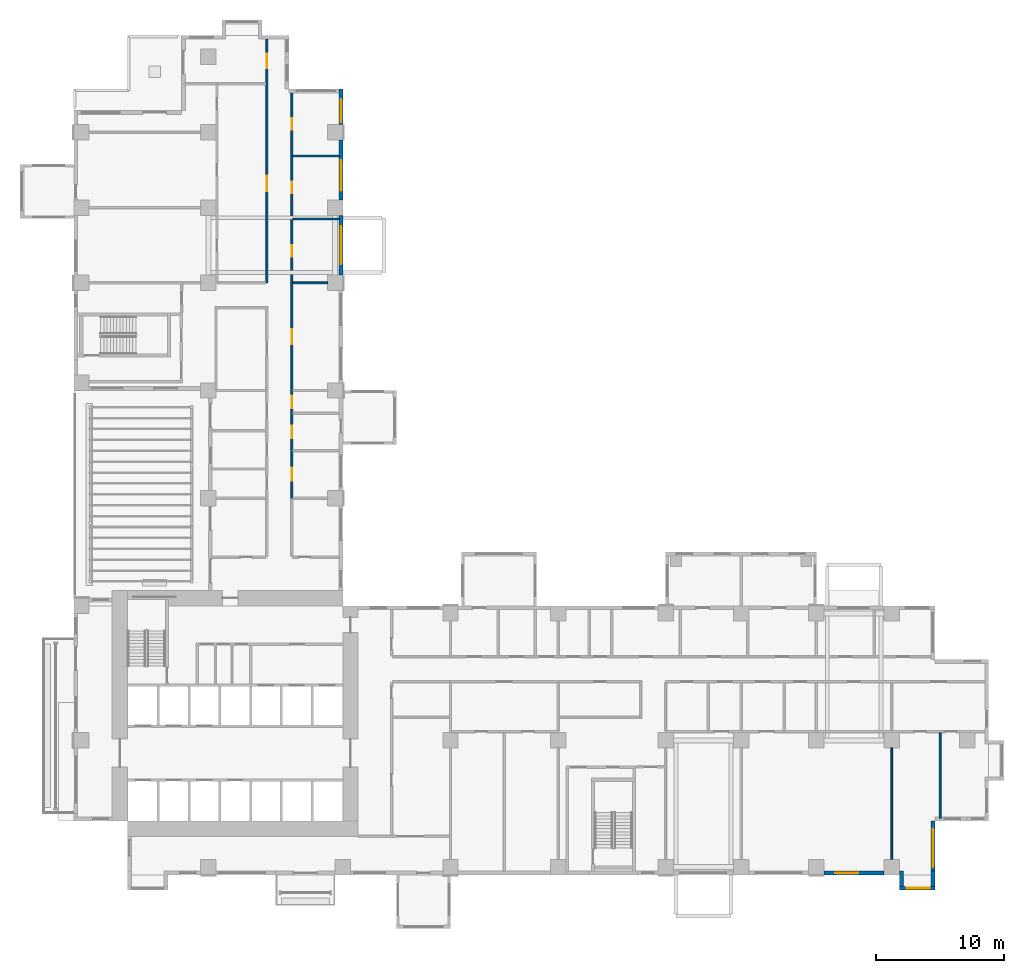
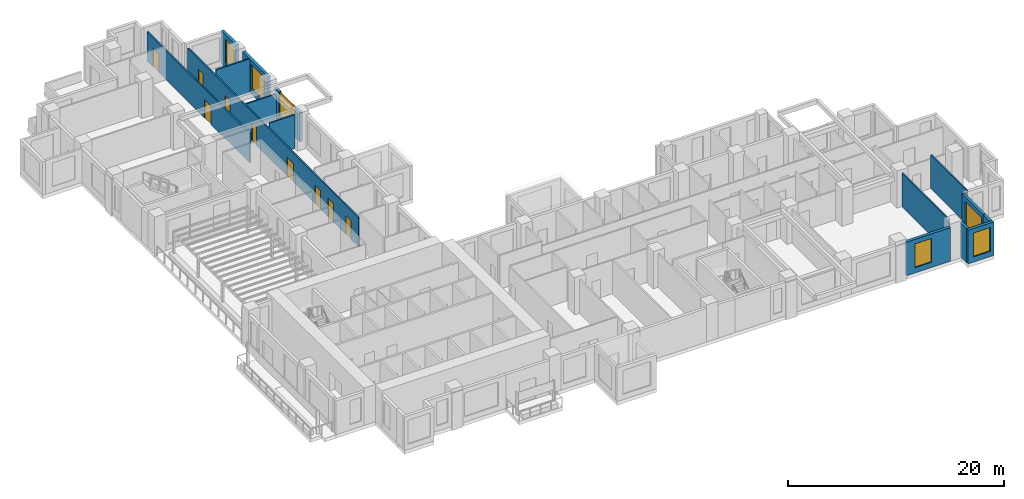
# One storey, part 10 of 17: 15 walls, 9 doors, 6 windows, 15 openings.
"""IFC4 building model written with IfcOpenShell, lengths in metres."""

import ifcopenshell
import ifcopenshell.guid

model = None  # the IFC model being written
_history = None  # IfcOwnerHistory: only IFC2X3 demands one
_inside = {}  # id of a spatial element -> (the spatial element, [elements in it])
_under = {}  # id of a project, library or spatial element -> (it, [spatial elements below it])
_declared = {}  # id of a project -> (the project, [libraries it declares])
_typed = {}  # id of a type object -> (the type object, [elements of that type])
_made_of = {}  # id of a material, layer set ... -> (it, [elements and type objects made of it])


def new_model(schema):
    """Start an empty IFC model of exactly this schema.

    Asked for "IFC4X3", IfcOpenShell would pick the latest addendum, in which some entities
    have other attributes; the version numbers below select the first issue.
    IFC2X3 requires an IfcOwnerHistory on every rooted entity: one is made here for all.
    """
    global model, _history
    if schema == "IFC4X3":
        model = ifcopenshell.file(schema_version=(4, 3, 0, 0))
    else:
        model = ifcopenshell.file(schema=schema)
    _inside.clear()
    _under.clear()
    _declared.clear()
    _typed.clear()
    _made_of.clear()
    _history = None
    if model.schema == "IFC2X3":
        org = make("IfcOrganization", Name="unknown")
        user = make(
            "IfcPersonAndOrganization",
            ThePerson=make("IfcPerson", FamilyName="unknown"),
            TheOrganization=org,
        )
        app = make(
            "IfcApplication",
            ApplicationDeveloper=org,
            Version="unknown",
            ApplicationFullName="unknown",
            ApplicationIdentifier="unknown",
        )
        _history = make(
            "IfcOwnerHistory",
            OwningUser=user,
            OwningApplication=app,
            ChangeAction="ADDED",
            CreationDate=0,
        )
    return model


def make(cls, **values):
    """One entity of the class cls with the attributes given. An attribute that is None is left unset."""
    return model.create_entity(
        cls, **{name: value for name, value in values.items() if value is not None}
    )


def rooted(cls, **values):
    """An entity with a GlobalId (a new one), such as an element, a storey or a relation."""
    return make(cls, GlobalId=ifcopenshell.guid.new(), OwnerHistory=_history, **values)


def si_unit(unit_type, name, prefix=None):
    """IfcSIUnit, for example si_unit("LENGTHUNIT", "METRE", prefix="MILLI")."""
    return make("IfcSIUnit", UnitType=unit_type, Prefix=prefix, Name=name)


def assignment(units):
    """IfcUnitAssignment: the units of a project."""
    return None if units is None else make("IfcUnitAssignment", Units=units)


def point(xyz):
    """IfcCartesianPoint."""
    return None if xyz is None else make("IfcCartesianPoint", Coordinates=xyz)


def direction(xyz):
    """IfcDirection."""
    return None if xyz is None else make("IfcDirection", DirectionRatios=xyz)


def frame(location, z_axis=None, x_axis=None):
    """IfcAxis2Placement3D, a coordinate frame: its origin and axes. An axis left out is left unset."""
    return make(
        "IfcAxis2Placement3D",
        Location=point(location),
        Axis=direction(z_axis),
        RefDirection=direction(x_axis),
    )


def frame_2d(location, x_axis=None):
    """IfcAxis2Placement2D, a coordinate frame in the plane: its origin and x axis."""
    return make(
        "IfcAxis2Placement2D", Location=point(location), RefDirection=direction(x_axis)
    )


def origin():
    """The frame at (0, 0, 0) with its axes left unset."""
    return frame((0.0, 0.0, 0.0))


def place(relative_to, where):
    """IfcLocalPlacement: puts the frame where relative to a parent placement (None: the world)."""
    return make(
        "IfcLocalPlacement", PlacementRelTo=relative_to, RelativePlacement=where
    )


def context(
    kind, dimensions, precision=None, world=None, true_north=None, identifier=None
):
    """IfcGeometricRepresentationContext, for example the 3D "Model" context."""
    return make(
        "IfcGeometricRepresentationContext",
        ContextIdentifier=identifier,
        ContextType=kind,
        CoordinateSpaceDimension=dimensions,
        Precision=precision,
        WorldCoordinateSystem=world,
        TrueNorth=true_north,
    )


def subcontext(parent, identifier, kind, view, scale=None):
    """IfcGeometricRepresentationSubContext, for example "Body" below "Model"."""
    return make(
        "IfcGeometricRepresentationSubContext",
        ContextIdentifier=identifier,
        ContextType=kind,
        ParentContext=parent,
        TargetScale=scale,
        TargetView=view,
    )


def project(units=None, contexts=None):
    """IfcProject with its units and contexts."""
    return rooted(
        "IfcProject",
        Name="project",
        RepresentationContexts=contexts,
        UnitsInContext=assignment(units),
    )


def spatial(cls, under=None, at=None, **own):
    """A site, building, storey or space (cls), placed at a placement, below another one or the project."""
    s = rooted(cls, ObjectPlacement=at, **own)
    if under is not None:
        _under.setdefault(under.id(), (under, []))[1].append(s)
    return s


def profile(cls, at=None, kind="AREA", **sizes):
    """A parametric profile (cls). Its sizes go by their IFC names, for example OverallWidth=200.0."""
    return make(cls, ProfileType=kind, Position=at, **sizes)


def rectangle(**sizes):
    """IfcRectangleProfileDef."""
    return profile("IfcRectangleProfileDef", **sizes)


def extrude(swept, where, along, depth):
    """IfcExtrudedAreaSolid: the profile swept, set in the frame where, extruded along a direction by depth."""
    return make(
        "IfcExtrudedAreaSolid",
        SweptArea=swept,
        Position=where,
        ExtrudedDirection=direction(along),
        Depth=depth,
    )


def shape(context_of_items, identifier, shape_type, items):
    """IfcShapeRepresentation: the items that make up one representation, for example the "Body"."""
    return make(
        "IfcShapeRepresentation",
        ContextOfItems=context_of_items,
        RepresentationIdentifier=identifier,
        RepresentationType=shape_type,
        Items=items,
    )


def source(mapping_origin, context_of_items, identifier, shape_type, items):
    """IfcRepresentationMap: a shape defined once, which mapped items show again and again."""
    return make(
        "IfcRepresentationMap",
        MappingOrigin=mapping_origin,
        MappedRepresentation=shape(context_of_items, identifier, shape_type, items),
    )


def transform(
    local_origin,
    x_axis=None,
    y_axis=None,
    z_axis=None,
    scale=None,
    scale2=None,
    scale3=None,
    uniform=True,
):
    """IfcCartesianTransformationOperator3D, or its non-uniform kind. x_axis, y_axis, z_axis: its Axis1, 2, 3."""
    if uniform:
        return make(
            "IfcCartesianTransformationOperator3D",
            Axis1=direction(x_axis),
            Axis2=direction(y_axis),
            LocalOrigin=point(local_origin),
            Scale=scale,
            Axis3=direction(z_axis),
        )
    return make(
        "IfcCartesianTransformationOperator3DnonUniform",
        Axis1=direction(x_axis),
        Axis2=direction(y_axis),
        LocalOrigin=point(local_origin),
        Scale=scale,
        Axis3=direction(z_axis),
        Scale2=scale2,
        Scale3=scale3,
    )


def mapped(mapping_source, mapping_target):
    """IfcMappedItem: shows the shape of a source again, moved by a transform."""
    return make(
        "IfcMappedItem", MappingSource=mapping_source, MappingTarget=mapping_target
    )


def material(Name=None, Category=None):
    """IfcMaterial."""
    return make("IfcMaterial", Name=Name, Category=Category)


def layer(
    of_material, thickness, ventilated=None, Name=None, Category=None, Priority=None
):
    """IfcMaterialLayer: one layer of a wall or slab, of a material (None: an air gap)."""
    return make(
        "IfcMaterialLayer",
        Material=of_material,
        LayerThickness=thickness,
        IsVentilated=ventilated,
        Name=Name,
        Category=Category,
        Priority=Priority,
    )


def layer_set(layers, Name=None):
    """IfcMaterialLayerSet."""
    return make("IfcMaterialLayerSet", MaterialLayers=layers, LayerSetName=Name)


def made_of(thing, what):
    """Note that an element or type object is made of a material, layer set ...; save() writes the relation."""
    if what is not None:
        _made_of.setdefault(what.id(), (what, []))[1].append(thing)
    return thing


def type_object(cls, material=None, **own):
    """A type object (cls), such as IfcWallType, which elements share."""
    return made_of(rooted(cls, **own), material)


def element(
    cls,
    number,
    at=None,
    inside=None,
    cuts=None,
    type_object=None,
    material=None,
    context=None,
    identifier="Body",
    shape_type=None,
    held_by="IfcProductDefinitionShape",
    body=None,
    shapes=None,
    **own,
):
    """One element of the class cls, such as IfcWall. Its Tag is "e" and its number.

    at: its placement. inside: the storey or other place that contains it. cuts: it is an
    opening in that element (IfcRelVoidsElement). A single representation is given by context,
    identifier, shape_type and body (its items); several are given by shapes. held_by: the class
    of the entity that holds the representations. save() writes the other relations.
    """
    e = rooted(cls, Tag="e%d" % number, ObjectPlacement=at, **own)
    if body is not None:
        shapes = [shape(context, identifier, shape_type, body)]
    if shapes is not None:
        e.Representation = make(held_by, Representations=shapes)
    if inside is not None:
        _inside.setdefault(inside.id(), (inside, []))[1].append(e)
    if cuts is not None:
        rooted(
            "IfcRelVoidsElement", RelatingBuildingElement=cuts, RelatedOpeningElement=e
        )
    if type_object is not None:
        _typed.setdefault(type_object.id(), (type_object, []))[1].append(e)
    return made_of(e, material)


def fill(opening, filler):
    """IfcRelFillsElement: the door or window that sits in an opening."""
    return rooted(
        "IfcRelFillsElement",
        RelatingOpeningElement=opening,
        RelatedBuildingElement=filler,
    )


def aggregate(whole, parts):
    """IfcRelAggregates: a whole, such as a stair, and the parts it consists of."""
    return rooted("IfcRelAggregates", RelatingObject=whole, RelatedObjects=parts)


def save(model, path):
    """Write the relations noted so far, then the file.

    IfcRelAggregates (storeys below a building ...), IfcRelContainedInSpatialStructure (elements
    in a storey), IfcRelDefinesByType, IfcRelAssociatesMaterial and IfcRelDeclares: one each for
    every whole, place, type object, material and project.
    """
    for whole, parts in _under.values():
        aggregate(whole, parts)
    for where, things in _inside.values():
        rooted(
            "IfcRelContainedInSpatialStructure",
            RelatedElements=things,
            RelatingStructure=where,
        )
    for kind, things in _typed.values():
        rooted("IfcRelDefinesByType", RelatedObjects=things, RelatingType=kind)
    for what, things in _made_of.values():
        rooted("IfcRelAssociatesMaterial", RelatedObjects=things, RelatingMaterial=what)
    for by, libraries in _declared.values():
        rooted("IfcRelDeclares", RelatingContext=by, RelatedDefinitions=libraries)
    model.write(path)


model = new_model("IFC4")

# Units and contexts
model_context = context("Model", 3, precision=1e-05, world=origin(), true_north=direction((0.0, 1.0)))
body_context = subcontext(model_context, "Body", "Model", "MODEL_VIEW")
ifc_project = project(units=[si_unit("LENGTHUNIT", "METRE"), si_unit("AREAUNIT", "SQUARE_METRE"), si_unit("VOLUMEUNIT", "CUBIC_METRE"), si_unit("PLANEANGLEUNIT", "RADIAN"), si_unit("MASSUNIT", "GRAM", prefix="KILO")], contexts=[model_context])

# Site, building, storey
site_placement = place(None, origin())
site = spatial("IfcSite", under=ifc_project, at=site_placement, CompositionType="ELEMENT")
building_placement = place(site_placement, origin())
building = spatial("IfcBuilding", under=site, at=building_placement, Name="Aurelian Terraces", CompositionType="ELEMENT")
storey_placement = place(building_placement, frame((0.0, 0.0, 69.9)))
storey = spatial("IfcBuildingStorey", under=building, at=storey_placement, Name="L14", CompositionType="ELEMENT", Elevation=69.9)

# Wall, opening, window
ifc_material_1 = material(Name="Terracotta rainscreen cladding", Category="masonry")
ifc_layer_1 = layer(ifc_material_1, 0.3)
ifc_layer_set_1 = layer_set([ifc_layer_1], Name="EW-300")
wall_type_1 = type_object("IfcWallType", Name="EW-300", PredefinedType="STANDARD", material=ifc_layer_set_1)
shared_shape_1 = source(origin(), body_context, "Body", "SweptSolid", [
    extrude(rectangle(XDim=4.68, YDim=0.3, at=frame_2d((2.34, 0.0))), origin(), (0.0, 0.0, 1.0), 3.8),
])
wall_1_placement = place(storey_placement, frame((58.56, 0.15, 0.0), z_axis=(0.0, 0.0, 1.0), x_axis=(1.0, 0.0, 0.0)))
wall_1 = element("IfcWall", 1, at=wall_1_placement, inside=storey, type_object=wall_type_1, Name="External wall L14 F01.10", PredefinedType="STANDARD", context=body_context, shape_type="MappedRepresentation", body=[
    mapped(shared_shape_1, transform((0.0, 0.0, 0.0), scale=1.0)),
])
shared_shape_2 = source(origin(), body_context, "Body", "SweptSolid", [
    extrude(rectangle(XDim=1.8, YDim=2.7, at=frame_2d((0.9, 1.35))), frame((0.0, 0.16, 0.0), z_axis=(0.0, -1.0, 0.0), x_axis=(1.0, 0.0, 0.0)), (0.0, 0.0, 1.0), 0.32),
])
opening_1_placement = place(wall_1_placement, frame((0.8775, 0.0, 0.6)))
opening_1 = element("IfcOpeningElement", 2, at=opening_1_placement, cuts=wall_1, Name="Opening W1827", PredefinedType="OPENING", context=body_context, shape_type="MappedRepresentation", body=[
    mapped(shared_shape_2, transform((0.0, 0.0, 0.0), scale=1.0)),
])
ifc_material_2 = material(Name="Clear glazing", Category="glass")
window_type_1 = type_object("IfcWindowType", Name="W-1800x2700", PartitioningType="SINGLE_PANEL", PredefinedType="WINDOW", material=ifc_material_2)
shared_shape_3 = source(origin(), body_context, "Body", "SweptSolid", [
    extrude(rectangle(XDim=1.8, YDim=2.7, at=frame_2d((0.9, 1.35))), frame((0.0, 0.03, 0.0), z_axis=(0.0, -1.0, 0.0), x_axis=(1.0, 0.0, 0.0)), (0.0, 0.0, 1.0), 0.06),
])
window_1_placement = place(opening_1_placement, origin())
window_1 = element("IfcWindow", 3, at=window_1_placement, inside=storey, type_object=window_type_1, Name="Window L14 L14-F01-10-0", OverallHeight=2.7, OverallWidth=1.8, PartitioningType="SINGLE_PANEL", PredefinedType="WINDOW", context=body_context, shape_type="MappedRepresentation", body=[
    mapped(shared_shape_3, transform((0.0, 0.0, 0.0), scale=1.0)),
])
fill(opening_1, window_1)

wall_2_placement = place(storey_placement, frame((20.85, 52.68, 0.0), z_axis=(0.0, 0.0, 1.0), x_axis=(0.0, 1.0, 0.0)))
wall_2 = element("IfcWall", 4, at=wall_2_placement, inside=storey, type_object=wall_type_1, Name="External wall L14 F08.26", PredefinedType="STANDARD", context=body_context, shape_type="MappedRepresentation", body=[
    mapped(shared_shape_1, transform((0.0, 0.0, 0.0), scale=1.0)),
])
shared_shape_4 = source(origin(), body_context, "Body", "SweptSolid", [
    extrude(rectangle(XDim=2.4, YDim=2.7, at=frame_2d((1.2, 1.35))), frame((0.0, 0.16, 0.0), z_axis=(0.0, -1.0, 0.0), x_axis=(1.0, 0.0, 0.0)), (0.0, 0.0, 1.0), 0.32),
])
opening_2_placement = place(wall_2_placement, frame((0.695, 0.0, 0.6)))
opening_2 = element("IfcOpeningElement", 5, at=opening_2_placement, cuts=wall_2, Name="Opening W2427", PredefinedType="OPENING", context=body_context, shape_type="MappedRepresentation", body=[
    mapped(shared_shape_4, transform((0.0, 0.0, 0.0), scale=1.0)),
])
window_type_2 = type_object("IfcWindowType", Name="W-2400x2700", PartitioningType="SINGLE_PANEL", PredefinedType="WINDOW", material=ifc_material_2)
shared_shape_5 = source(origin(), body_context, "Body", "SweptSolid", [
    extrude(rectangle(XDim=2.4, YDim=2.7, at=frame_2d((1.2, 1.35))), frame((0.0, 0.03, 0.0), z_axis=(0.0, -1.0, 0.0), x_axis=(1.0, 0.0, 0.0)), (0.0, 0.0, 1.0), 0.06),
])
window_2_placement = place(opening_2_placement, origin())
window_2 = element("IfcWindow", 6, at=window_2_placement, inside=storey, type_object=window_type_2, Name="Window L14 L14-F08-26-0", OverallHeight=2.7, OverallWidth=2.4, PartitioningType="SINGLE_PANEL", PredefinedType="WINDOW", context=body_context, shape_type="MappedRepresentation", body=[
    mapped(shared_shape_5, transform((0.0, 0.0, 0.0), scale=1.0)),
])
fill(opening_2, window_2)

shared_shape_6 = source(origin(), body_context, "Body", "SweptSolid", [
    extrude(rectangle(XDim=4.2, YDim=0.3, at=frame_2d((2.1, 0.0))), origin(), (0.0, 0.0, 1.0), 3.8),
])
wall_3_placement = place(storey_placement, frame((67.05, 0.0, 0.0), z_axis=(0.0, 0.0, 1.0), x_axis=(0.0, 1.0, 0.0)))
wall_3 = element("IfcWall", 7, at=wall_3_placement, inside=storey, type_object=wall_type_1, Name="External wall L14 F02.12", PredefinedType="STANDARD", context=body_context, shape_type="MappedRepresentation", body=[
    mapped(shared_shape_6, transform((0.0, 0.0, 0.0), scale=1.0)),
])
shared_shape_7 = source(origin(), body_context, "Body", "SweptSolid", [
    extrude(rectangle(XDim=3.0, YDim=2.7, at=frame_2d((1.5, 1.35))), frame((0.0, 0.16, 0.0), z_axis=(0.0, -1.0, 0.0), x_axis=(1.0, 0.0, 0.0)), (0.0, 0.0, 1.0), 0.32),
])
opening_3_placement = place(wall_3_placement, frame((0.6, 0.0, 0.6)))
opening_3 = element("IfcOpeningElement", 8, at=opening_3_placement, cuts=wall_3, Name="Opening W3027", PredefinedType="OPENING", context=body_context, shape_type="MappedRepresentation", body=[
    mapped(shared_shape_7, transform((0.0, 0.0, 0.0), scale=1.0)),
])
window_type_3 = type_object("IfcWindowType", Name="W-3000x2700", PartitioningType="SINGLE_PANEL", PredefinedType="WINDOW", material=ifc_material_2)
shared_shape_8 = source(origin(), body_context, "Body", "SweptSolid", [
    extrude(rectangle(XDim=3.0, YDim=2.7, at=frame_2d((1.5, 1.35))), frame((0.0, 0.03, 0.0), z_axis=(0.0, -1.0, 0.0), x_axis=(1.0, 0.0, 0.0)), (0.0, 0.0, 1.0), 0.06),
])
window_3_placement = place(opening_3_placement, origin())
window_3 = element("IfcWindow", 9, at=window_3_placement, inside=storey, type_object=window_type_3, Name="Window L14 L14-F02-12-0", OverallHeight=2.7, OverallWidth=3.0, PartitioningType="SINGLE_PANEL", PredefinedType="WINDOW", context=body_context, shape_type="MappedRepresentation", body=[
    mapped(shared_shape_8, transform((0.0, 0.0, 0.0), scale=1.0)),
])
fill(opening_3, window_3)

shared_shape_9 = source(origin(), body_context, "Body", "SweptSolid", [
    extrude(rectangle(XDim=2.76, YDim=0.3, at=frame_2d((1.38, 0.0))), origin(), (0.0, 0.0, 1.0), 3.8),
])
wall_4_placement = place(storey_placement, frame((64.44, -1.05, 0.0), z_axis=(0.0, 0.0, 1.0), x_axis=(1.0, 0.0, 0.0)))
wall_4 = element("IfcWall", 10, at=wall_4_placement, inside=storey, type_object=wall_type_1, Name="Bay wall L14 F01.11", PredefinedType="STANDARD", context=body_context, shape_type="MappedRepresentation", body=[
    mapped(shared_shape_9, transform((0.0, 0.0, 0.0), scale=1.0)),
])
opening_4_placement = place(wall_4_placement, frame((0.58, 0.0, 0.6)))
opening_4 = element("IfcOpeningElement", 11, at=opening_4_placement, cuts=wall_4, Name="Opening W1827", PredefinedType="OPENING", context=body_context, shape_type="MappedRepresentation", body=[
    mapped(shared_shape_2, transform((0.0, 0.0, 0.0), scale=1.0)),
])
window_4_placement = place(opening_4_placement, origin())
window_4 = element("IfcWindow", 12, at=window_4_placement, inside=storey, type_object=window_type_1, Name="Window L14 L14-F01-11-0", OverallHeight=2.7, OverallWidth=1.8, PartitioningType="SINGLE_PANEL", PredefinedType="WINDOW", context=body_context, shape_type="MappedRepresentation", body=[
    mapped(shared_shape_3, transform((0.0, 0.0, 0.0), scale=1.0)),
])
fill(opening_4, window_4)

wall_5_placement = place(storey_placement, frame((20.85, 58.56, 0.0), z_axis=(0.0, 0.0, 1.0), x_axis=(0.0, 1.0, 0.0)))
wall_5 = element("IfcWall", 13, at=wall_5_placement, inside=storey, type_object=wall_type_1, Name="External wall L14 F08.27", PredefinedType="STANDARD", context=body_context, shape_type="MappedRepresentation", body=[
    mapped(shared_shape_9, transform((0.0, 0.0, 0.0), scale=1.0)),
])
opening_5_placement = place(wall_5_placement, frame((0.18, 0.0, 0.6)))
opening_5 = element("IfcOpeningElement", 14, at=opening_5_placement, cuts=wall_5, Name="Opening W1827", PredefinedType="OPENING", context=body_context, shape_type="MappedRepresentation", body=[
    mapped(shared_shape_2, transform((0.0, 0.0, 0.0), scale=1.0)),
])
window_5_placement = place(opening_5_placement, origin())
window_5 = element("IfcWindow", 15, at=window_5_placement, inside=storey, type_object=window_type_1, Name="Window L14 L14-F08-27-0", OverallHeight=2.7, OverallWidth=1.8, PartitioningType="SINGLE_PANEL", PredefinedType="WINDOW", context=body_context, shape_type="MappedRepresentation", body=[
    mapped(shared_shape_3, transform((0.0, 0.0, 0.0), scale=1.0)),
])
fill(opening_5, window_5)

# Walls
shared_shape_10 = source(origin(), body_context, "Body", "SweptSolid", [
    extrude(rectangle(XDim=1.2, YDim=0.3, at=frame_2d((0.6, 0.0))), origin(), (0.0, 0.0, 1.0), 3.8),
])
for number, where, z_axis, x_axis, name in (
    (16, (64.59, 0.3, 0.0), (0.0, 0.0, 1.0), (0.0, -1.0, 0.0), "Bay return L14 F01.11.1"),
    (17, (67.05, 0.3, 0.0), (0.0, 0.0, 1.0), (0.0, -1.0, 0.0), "Bay return L14 F01.11.2"),
):
    element("IfcWall", number, at=place(storey_placement, frame(where, z_axis=z_axis, x_axis=x_axis)), inside=storey, type_object=wall_type_1, Name=name, PredefinedType="STANDARD", context=body_context, shape_type="MappedRepresentation", body=[
        mapped(shared_shape_10, transform((0.0, 0.0, 0.0), scale=1.0)),
    ])

# Wall, opening, window
shared_shape_11 = source(origin(), body_context, "Body", "SweptSolid", [
    extrude(rectangle(XDim=4.68, YDim=0.3, at=frame_2d((2.34, 0.0))), origin(), (0.0, 0.0, 1.0), 3.3),
])
wall_6_placement = place(storey_placement, frame((20.85, 46.8, 0.0), z_axis=(0.0, 0.0, 1.0), x_axis=(0.0, 1.0, 0.0)))
wall_6 = element("IfcWall", 18, at=wall_6_placement, inside=storey, type_object=wall_type_1, Name="External wall L14 F08.25", PredefinedType="STANDARD", context=body_context, shape_type="MappedRepresentation", body=[
    mapped(shared_shape_11, transform((0.0, 0.0, 0.0), scale=1.0)),
])
opening_6_placement = place(wall_6_placement, frame((0.84, 0.0, 0.6)))
opening_6 = element("IfcOpeningElement", 19, at=opening_6_placement, cuts=wall_6, Name="Opening W3027", PredefinedType="OPENING", context=body_context, shape_type="MappedRepresentation", body=[
    mapped(shared_shape_7, transform((0.0, 0.0, 0.0), scale=1.0)),
])
window_6_placement = place(opening_6_placement, origin())
window_6 = element("IfcWindow", 20, at=window_6_placement, inside=storey, type_object=window_type_3, Name="Window L14 L14-F08-25-0", OverallHeight=2.7, OverallWidth=3.0, PartitioningType="SINGLE_PANEL", PredefinedType="WINDOW", context=body_context, shape_type="MappedRepresentation", body=[
    mapped(shared_shape_8, transform((0.0, 0.0, 0.0), scale=1.0)),
])
fill(opening_6, window_6)

# Walls
ifc_material_3 = material(Name="Gypsum board on steel studs", Category="steel")
ifc_layer_2 = layer(ifc_material_3, 0.15)
ifc_layer_set_2 = layer_set([ifc_layer_2], Name="Partition 150")
wall_type_2 = type_object("IfcWallType", Name="Partition 150", PredefinedType="PARTITIONING", material=ifc_layer_set_2)
shared_shape_12 = source(origin(), body_context, "Body", "SweptSolid", [
    extrude(rectangle(XDim=8.702, YDim=0.15, at=frame_2d((4.351, 0.0))), origin(), (0.0, 0.0, 1.0), 3.8),
])
wall_7_placement = place(storey_placement, frame((63.84, 1.199, 0.0), z_axis=(0.0, 0.0, 1.0), x_axis=(0.0, 1.0, 0.0)))
element("IfcWall", 21, at=wall_7_placement, inside=storey, type_object=wall_type_2, Name="Partition", PredefinedType="PARTITIONING", context=body_context, shape_type="MappedRepresentation", body=[
    mapped(shared_shape_12, transform((0.0, 0.0, 0.0), scale=1.0)),
])
shared_shape_13 = source(origin(), body_context, "Body", "SweptSolid", [
    extrude(rectangle(XDim=3.6, YDim=0.15, at=frame_2d((1.8, 0.0))), origin(), (0.0, 0.0, 1.0), 3.8),
])
wall_8_placement = place(storey_placement, frame((17.1, 56.105, 0.0), z_axis=(0.0, 0.0, 1.0), x_axis=(1.0, 0.0, 0.0)))
element("IfcWall", 22, at=wall_8_placement, inside=storey, type_object=wall_type_2, Name="Partition", PredefinedType="PARTITIONING", context=body_context, shape_type="MappedRepresentation", body=[
    mapped(shared_shape_13, transform((0.0, 0.0, 0.0), scale=1.0)),
])
shared_shape_14 = source(origin(), body_context, "Body", "SweptSolid", [
    extrude(rectangle(XDim=2.701, YDim=0.15, at=frame_2d((1.3505, 0.0))), origin(), (0.0, 0.0, 1.0), 3.8),
])
wall_9_placement = place(storey_placement, frame((19.801, 46.2, 0.0), z_axis=(0.0, 0.0, 1.0), x_axis=(-1.0, 0.0, 0.0)))
element("IfcWall", 23, at=wall_9_placement, inside=storey, type_object=wall_type_2, Name="Partition", PredefinedType="PARTITIONING", context=body_context, shape_type="MappedRepresentation", body=[
    mapped(shared_shape_14, transform((0.0, 0.0, 0.0), scale=1.0)),
])

# Wall, openings, doors
ifc_layer_3 = layer(ifc_material_3, 0.15)
ifc_layer_set_3 = layer_set([ifc_layer_3], Name="Fire partition 150")
wall_type_3 = type_object("IfcWallType", Name="Fire partition 150", PredefinedType="PARTITIONING", material=ifc_layer_set_3)
shared_shape_15 = source(origin(), body_context, "Body", "SweptSolid", [
    extrude(rectangle(XDim=19.02, YDim=0.15, at=frame_2d((9.51, 0.0))), origin(), (0.0, 0.0, 1.0), 3.3),
])
wall_10_placement = place(storey_placement, frame((15.075, 46.2, 0.0), z_axis=(0.0, 0.0, 1.0), x_axis=(0.0, 1.0, 0.0)))
wall_10 = element("IfcWall", 24, at=wall_10_placement, inside=storey, type_object=wall_type_3, Name="Corridor wall", PredefinedType="PARTITIONING", context=body_context, shape_type="MappedRepresentation", body=[
    mapped(shared_shape_15, transform((0.0, 0.0, 0.0), scale=1.0)),
])
shared_shape_16 = source(origin(), body_context, "Body", "SweptSolid", [
    extrude(rectangle(XDim=1.2, YDim=2.1, at=frame_2d((0.6, 1.05))), frame((0.0, 0.085, 0.0), z_axis=(0.0, -1.0, 0.0), x_axis=(1.0, 0.0, 0.0)), (0.0, 0.0, 1.0), 0.17),
])
opening_7_placement = place(wall_10_placement, frame((7.17, 0.0, 0.0)))
opening_7 = element("IfcOpeningElement", 25, at=opening_7_placement, cuts=wall_10, Name="Opening 714037", PredefinedType="OPENING", context=body_context, shape_type="MappedRepresentation", body=[
    mapped(shared_shape_16, transform((0.0, 0.0, 0.0), scale=1.0)),
])
shared_shape_17 = source(origin(), body_context, "Body", "SweptSolid", [
    extrude(rectangle(XDim=1.1, YDim=2.1, at=frame_2d((0.55, 1.05))), frame((0.0, 0.085, 0.0), z_axis=(0.0, -1.0, 0.0), x_axis=(1.0, 0.0, 0.0)), (0.0, 0.0, 1.0), 0.17),
])
opening_8_placement = place(wall_10_placement, frame((16.7675, 0.0, 0.0)))
opening_8 = element("IfcOpeningElement", 26, at=opening_8_placement, cuts=wall_10, Name="Opening 714041", PredefinedType="OPENING", context=body_context, shape_type="MappedRepresentation", body=[
    mapped(shared_shape_17, transform((0.0, 0.0, 0.0), scale=1.0)),
])
ifc_material_4 = material(Name="Timber door leaf", Category="wood")
door_type_1 = type_object("IfcDoorType", Name="Room door 1100x2100 left", OperationType="SINGLE_SWING_LEFT", PredefinedType="DOOR", material=ifc_material_4)
shared_shape_18 = source(origin(), body_context, "Body", "SweptSolid", [
    extrude(rectangle(XDim=1.1, YDim=2.1, at=frame_2d((0.55, 1.05))), frame((0.0, 0.025, 0.0), z_axis=(0.0, -1.0, 0.0), x_axis=(1.0, 0.0, 0.0)), (0.0, 0.0, 1.0), 0.05),
])
door_1_placement = place(opening_8_placement, origin())
door_1 = element("IfcDoor", 27, at=door_1_placement, inside=storey, type_object=door_type_1, Name="Door 714041", OperationType="SINGLE_SWING_LEFT", OverallHeight=2.1, OverallWidth=1.1, PredefinedType="DOOR", context=body_context, shape_type="MappedRepresentation", body=[
    mapped(shared_shape_18, transform((0.0, 0.0, 0.0), scale=1.0)),
])
fill(opening_8, door_1)
door_type_2 = type_object("IfcDoorType", Name="Room door 1200x2100 left", OperationType="SINGLE_SWING_LEFT", PredefinedType="DOOR", material=ifc_material_4)
shared_shape_19 = source(origin(), body_context, "Body", "SweptSolid", [
    extrude(rectangle(XDim=1.2, YDim=2.1, at=frame_2d((0.6, 1.05))), frame((0.0, 0.025, 0.0), z_axis=(0.0, -1.0, 0.0), x_axis=(1.0, 0.0, 0.0)), (0.0, 0.0, 1.0), 0.05),
])
door_2_placement = place(opening_7_placement, origin())
door_2 = element("IfcDoor", 28, at=door_2_placement, inside=storey, type_object=door_type_2, Name="Door 714037", OperationType="SINGLE_SWING_LEFT", OverallHeight=2.1, OverallWidth=1.2, PredefinedType="DOOR", context=body_context, shape_type="MappedRepresentation", body=[
    mapped(shared_shape_19, transform((0.0, 0.0, 0.0), scale=1.0)),
])
fill(opening_7, door_2)

# Walls
shared_shape_20 = source(origin(), body_context, "Body", "SweptSolid", [
    extrude(rectangle(XDim=6.695, YDim=0.15, at=frame_2d((3.3475, 0.0))), origin(), (0.0, 0.0, 1.0), 3.8),
])
wall_11_placement = place(storey_placement, frame((67.62, 4.405, 0.0), z_axis=(0.0, 0.0, 1.0), x_axis=(0.0, 1.0, 0.0)))
element("IfcWall", 29, at=wall_11_placement, inside=storey, type_object=wall_type_2, Name="Partition", PredefinedType="PARTITIONING", context=body_context, shape_type="MappedRepresentation", body=[
    mapped(shared_shape_20, transform((0.0, 0.0, 0.0), scale=1.0)),
])
shared_shape_21 = source(origin(), body_context, "Body", "SweptSolid", [
    extrude(rectangle(XDim=3.6, YDim=0.15, at=frame_2d((1.8, 0.0))), origin(), (0.0, 0.0, 1.0), 2.8),
])
wall_12_placement = place(storey_placement, frame((17.1, 51.19, 0.0), z_axis=(0.0, 0.0, 1.0), x_axis=(1.0, 0.0, 0.0)))
element("IfcWall", 30, at=wall_12_placement, inside=storey, type_object=wall_type_2, Name="Partition", PredefinedType="PARTITIONING", context=body_context, shape_type="MappedRepresentation", body=[
    mapped(shared_shape_21, transform((0.0, 0.0, 0.0), scale=1.0)),
])

# Wall, openings, doors
shared_shape_22 = source(origin(), body_context, "Body", "SweptSolid", [
    extrude(rectangle(XDim=31.62, YDim=0.15, at=frame_2d((15.81, 0.0))), origin(), (0.0, 0.0, 1.0), 3.3),
])
wall_13_placement = place(storey_placement, frame((17.025, 61.02, 0.0), z_axis=(0.0, 0.0, 1.0), x_axis=(0.0, -1.0, 0.0)))
wall_13 = element("IfcWall", 31, at=wall_13_placement, inside=storey, type_object=wall_type_3, Name="Corridor wall", PredefinedType="PARTITIONING", context=body_context, shape_type="MappedRepresentation", body=[
    mapped(shared_shape_22, transform((0.0, 0.0, 0.0), scale=1.0)),
])
shared_shape_23 = source(origin(), body_context, "Body", "SweptSolid", [
    extrude(rectangle(XDim=1.0, YDim=2.1, at=frame_2d((0.5, 1.05))), frame((0.0, 0.085, 0.0), z_axis=(0.0, -1.0, 0.0), x_axis=(1.0, 0.0, 0.0)), (0.0, 0.0, 1.0), 0.17),
])
opening_9_placement = place(wall_13_placement, frame((29.2633, 0.0, 0.0)))
opening_9 = element("IfcOpeningElement", 32, at=opening_9_placement, cuts=wall_13, Name="Opening 714042", PredefinedType="OPENING", context=body_context, shape_type="MappedRepresentation", body=[
    mapped(shared_shape_23, transform((0.0, 0.0, 0.0), scale=1.0)),
])
opening_10_placement = place(wall_13_placement, frame((25.9514, 0.0, 0.0)))
opening_10 = element("IfcOpeningElement", 33, at=opening_10_placement, cuts=wall_13, Name="Opening 714043", PredefinedType="OPENING", context=body_context, shape_type="MappedRepresentation", body=[
    mapped(shared_shape_23, transform((0.0, 0.0, 0.0), scale=1.0)),
])
opening_11_placement = place(wall_13_placement, frame((23.608, 0.0, 0.0)))
opening_11 = element("IfcOpeningElement", 34, at=opening_11_placement, cuts=wall_13, Name="Opening 714044", PredefinedType="OPENING", context=body_context, shape_type="MappedRepresentation", body=[
    mapped(shared_shape_23, transform((0.0, 0.0, 0.0), scale=1.0)),
])
opening_12_placement = place(wall_13_placement, frame((18.42, 0.0, 0.0)))
opening_12 = element("IfcOpeningElement", 35, at=opening_12_placement, cuts=wall_13, Name="Opening 714045", PredefinedType="OPENING", context=body_context, shape_type="MappedRepresentation", body=[
    mapped(shared_shape_16, transform((0.0, 0.0, 0.0), scale=1.0)),
])
shared_shape_24 = source(origin(), body_context, "Body", "SweptSolid", [
    extrude(rectangle(XDim=0.9, YDim=2.1, at=frame_2d((0.45, 1.05))), frame((0.0, 0.085, 0.0), z_axis=(0.0, -1.0, 0.0), x_axis=(1.0, 0.0, 0.0)), (0.0, 0.0, 1.0), 0.17),
])
opening_13_placement = place(wall_13_placement, frame((11.875, 0.0, 0.0)))
opening_13 = element("IfcOpeningElement", 36, at=opening_13_placement, cuts=wall_13, Name="Opening 714046", PredefinedType="OPENING", context=body_context, shape_type="MappedRepresentation", body=[
    mapped(shared_shape_24, transform((0.0, 0.0, 0.0), scale=1.0)),
])
opening_14_placement = place(wall_13_placement, frame((6.9225, 0.0, 0.0)))
opening_14 = element("IfcOpeningElement", 37, at=opening_14_placement, cuts=wall_13, Name="Opening 714047", PredefinedType="OPENING", context=body_context, shape_type="MappedRepresentation", body=[
    mapped(shared_shape_24, transform((0.0, 0.0, 0.0), scale=1.0)),
])
opening_15_placement = place(wall_13_placement, frame((1.97, 0.0, 0.0)))
opening_15 = element("IfcOpeningElement", 38, at=opening_15_placement, cuts=wall_13, Name="Opening 714048", PredefinedType="OPENING", context=body_context, shape_type="MappedRepresentation", body=[
    mapped(shared_shape_24, transform((0.0, 0.0, 0.0), scale=1.0)),
])
door_type_3 = type_object("IfcDoorType", Name="Room door 1000x2100 left", OperationType="SINGLE_SWING_LEFT", PredefinedType="DOOR", material=ifc_material_4)
shared_shape_25 = source(origin(), body_context, "Body", "SweptSolid", [
    extrude(rectangle(XDim=1.0, YDim=2.1, at=frame_2d((0.5, 1.05))), frame((0.0, 0.025, 0.0), z_axis=(0.0, -1.0, 0.0), x_axis=(1.0, 0.0, 0.0)), (0.0, 0.0, 1.0), 0.05),
])
door_3_placement = place(opening_9_placement, origin())
door_3 = element("IfcDoor", 39, at=door_3_placement, inside=storey, type_object=door_type_3, Name="Door 714042", OperationType="SINGLE_SWING_LEFT", OverallHeight=2.1, OverallWidth=1.0, PredefinedType="DOOR", context=body_context, shape_type="MappedRepresentation", body=[
    mapped(shared_shape_25, transform((0.0, 0.0, 0.0), scale=1.0)),
])
fill(opening_9, door_3)
door_type_4 = type_object("IfcDoorType", Name="Room door 1000x2100 right", OperationType="SINGLE_SWING_RIGHT", PredefinedType="DOOR", material=ifc_material_4)
door_4_placement = place(opening_10_placement, origin())
door_4 = element("IfcDoor", 40, at=door_4_placement, inside=storey, type_object=door_type_4, Name="Door 714043", OperationType="SINGLE_SWING_RIGHT", OverallHeight=2.1, OverallWidth=1.0, PredefinedType="DOOR", context=body_context, shape_type="MappedRepresentation", body=[
    mapped(shared_shape_25, transform((0.0, 0.0, 0.0), scale=1.0)),
])
fill(opening_10, door_4)
door_5_placement = place(opening_11_placement, origin())
door_5 = element("IfcDoor", 41, at=door_5_placement, inside=storey, type_object=door_type_3, Name="Door 714044", OperationType="SINGLE_SWING_LEFT", OverallHeight=2.1, OverallWidth=1.0, PredefinedType="DOOR", context=body_context, shape_type="MappedRepresentation", body=[
    mapped(shared_shape_25, transform((0.0, 0.0, 0.0), scale=1.0)),
])
fill(opening_11, door_5)
door_type_5 = type_object("IfcDoorType", Name="Room door 900x2100 left", OperationType="SINGLE_SWING_LEFT", PredefinedType="DOOR", material=ifc_material_4)
shared_shape_26 = source(origin(), body_context, "Body", "SweptSolid", [
    extrude(rectangle(XDim=0.9, YDim=2.1, at=frame_2d((0.45, 1.05))), frame((0.0, 0.025, 0.0), z_axis=(0.0, -1.0, 0.0), x_axis=(1.0, 0.0, 0.0)), (0.0, 0.0, 1.0), 0.05),
])
door_6_placement = place(opening_13_placement, origin())
door_6 = element("IfcDoor", 42, at=door_6_placement, inside=storey, type_object=door_type_5, Name="Door 714046", OperationType="SINGLE_SWING_LEFT", OverallHeight=2.1, OverallWidth=0.9, PredefinedType="DOOR", context=body_context, shape_type="MappedRepresentation", body=[
    mapped(shared_shape_26, transform((0.0, 0.0, 0.0), scale=1.0)),
])
fill(opening_13, door_6)
door_type_6 = type_object("IfcDoorType", Name="Room door 900x2100 right", OperationType="SINGLE_SWING_RIGHT", PredefinedType="DOOR", material=ifc_material_4)
door_7_placement = place(opening_14_placement, origin())
door_7 = element("IfcDoor", 43, at=door_7_placement, inside=storey, type_object=door_type_6, Name="Door 714047", OperationType="SINGLE_SWING_RIGHT", OverallHeight=2.1, OverallWidth=0.9, PredefinedType="DOOR", context=body_context, shape_type="MappedRepresentation", body=[
    mapped(shared_shape_26, transform((0.0, 0.0, 0.0), scale=1.0)),
])
fill(opening_14, door_7)
door_8_placement = place(opening_15_placement, origin())
door_8 = element("IfcDoor", 44, at=door_8_placement, inside=storey, type_object=door_type_5, Name="Door 714048", OperationType="SINGLE_SWING_LEFT", OverallHeight=2.1, OverallWidth=0.9, PredefinedType="DOOR", context=body_context, shape_type="MappedRepresentation", body=[
    mapped(shared_shape_26, transform((0.0, 0.0, 0.0), scale=1.0)),
])
fill(opening_15, door_8)
door_9_placement = place(opening_12_placement, origin())
door_9 = element("IfcDoor", 45, at=door_9_placement, inside=storey, type_object=door_type_2, Name="Door 714045", OperationType="SINGLE_SWING_LEFT", OverallHeight=2.1, OverallWidth=1.2, PredefinedType="DOOR", context=body_context, shape_type="MappedRepresentation", body=[
    mapped(shared_shape_19, transform((0.0, 0.0, 0.0), scale=1.0)),
])
fill(opening_12, door_9)

save(model, "model.ifc")
